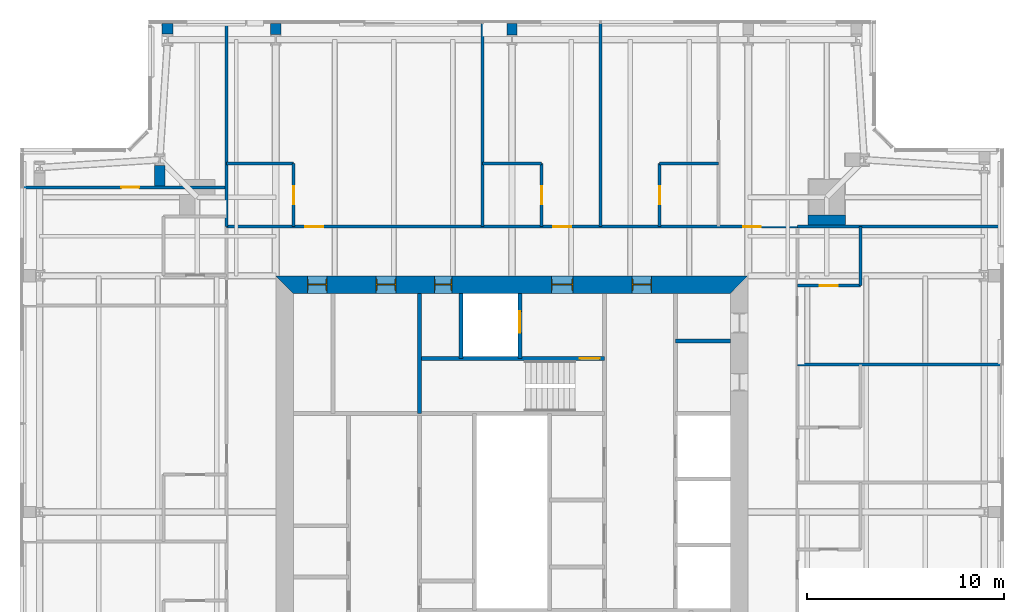
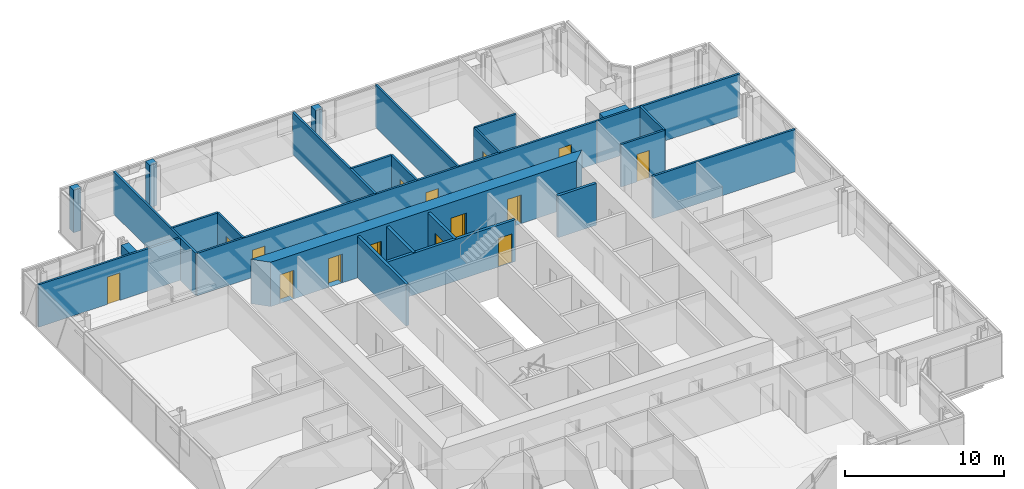
# One storey, part 14 of 20: 26 walls, 15 doors, 15 openings.
"""IFC4 building model written with IfcOpenShell, lengths in metres."""

from ifc_helpers import new_model, si_unit, direction, frame, frame_2d, origin, place, context, subcontext, project, spatial, polyline, rectangle, outline, extrude, material, layer, layer_set, type_object, element, fill, save


model = new_model("IFC4")

# Units and contexts
model_context = context("Model", 3, precision=1e-05, world=origin(), true_north=direction((0.0, 1.0)))
body_context = subcontext(model_context, "Body", "Model", "MODEL_VIEW")
ifc_project = project(units=[si_unit("LENGTHUNIT", "METRE"), si_unit("AREAUNIT", "SQUARE_METRE"), si_unit("VOLUMEUNIT", "CUBIC_METRE"), si_unit("PLANEANGLEUNIT", "RADIAN"), si_unit("MASSUNIT", "GRAM", prefix="KILO")], contexts=[model_context])

# Site, building, storey
site_placement = place(None, origin())
site = spatial("IfcSite", under=ifc_project, at=site_placement, CompositionType="ELEMENT")
building_placement = place(site_placement, origin())
building = spatial("IfcBuilding", under=site, at=building_placement, Name="Fenwick Lantern Interchange", CompositionType="ELEMENT")
storey_placement = place(building_placement, frame((0.0, 0.0, 286.60009765625)))
storey = spatial("IfcBuildingStorey", under=building, at=storey_placement, Name="L69", CompositionType="ELEMENT", Elevation=286.60009765625)

# Walls
ifc_material_1 = material(Name="Fire-rated gypsum board encasement on steel studs, 2 hour", Category="steel")
ifc_layer_1 = layer(ifc_material_1, 1.89990234375)
ifc_layer_set_1 = layer_set([ifc_layer_1], Name="COLUMN PIER 1900")
wall_type_1 = type_object("IfcWallType", Name="COLUMN PIER 1900", PredefinedType="PARTITIONING", material=ifc_layer_set_1)
wall_1_placement = place(storey_placement, frame((41.0, 39.574951171875, 0.0), z_axis=(0.0, 0.0, 1.0), x_axis=(0.0, 1.0, 0.0)))
element("IfcWall", 1, at=wall_1_placement, inside=storey, type_object=wall_type_1, Name="L69/W/PIER/M3", PredefinedType="PARTITIONING", context=body_context, shape_type="SweptSolid", body=[
    extrude(rectangle(XDim=0.525146484375, YDim=1.89990234375, at=frame_2d((0.2626953125, 0.0))), origin(), (0.0, 0.0, 1.0), 3.25),
])
ifc_layer_2 = layer(ifc_material_1, 0.52392578125)
ifc_layer_set_2 = layer_set([ifc_layer_2], Name="COLUMN PIER 524")
wall_type_2 = type_object("IfcWallType", Name="COLUMN PIER 524", PredefinedType="PARTITIONING", material=ifc_layer_set_2)
wall_2_placement = place(storey_placement, frame((25.0, 49.81005859375, 0.0), z_axis=(0.0, 0.0, 1.0), x_axis=(0.0, -1.0, 0.0)))
element("IfcWall", 2, at=wall_2_placement, inside=storey, type_object=wall_type_2, Name="L69/W/PIER/CN3", PredefinedType="PARTITIONING", context=body_context, shape_type="SweptSolid", body=[
    extrude(rectangle(XDim=0.572509765625, YDim=0.52392578125, at=frame_2d((0.2861328125, 0.0))), origin(), (0.0, 0.0, 1.0), 3.25),
])
ifc_layer_3 = layer(ifc_material_1, 0.5419921875)
ifc_layer_set_3 = layer_set([ifc_layer_3], Name="COLUMN PIER 542")
wall_type_3 = type_object("IfcWallType", Name="COLUMN PIER 542", PredefinedType="PARTITIONING", material=ifc_layer_set_3)
wall_3_placement = place(storey_placement, frame((13.0, 49.81005859375, 0.0), z_axis=(0.0, 0.0, 1.0), x_axis=(0.0, -1.0, 0.0)))
element("IfcWall", 3, at=wall_3_placement, inside=storey, type_object=wall_type_3, Name="L69/W/PIER/CN4", PredefinedType="PARTITIONING", context=body_context, shape_type="SweptSolid", body=[
    extrude(rectangle(XDim=0.544677734375, YDim=0.5419921875, at=frame_2d((0.2724609375, 0.0))), origin(), (0.0, 0.0, 1.0), 3.25),
])
ifc_layer_4 = layer(ifc_material_1, 0.554931640625)
ifc_layer_set_4 = layer_set([ifc_layer_4], Name="COLUMN PIER 555")
wall_type_4 = type_object("IfcWallType", Name="COLUMN PIER 555", PredefinedType="PARTITIONING", material=ifc_layer_set_4)
wall_4_placement = place(storey_placement, frame((7.5, 49.81005859375, 0.0), z_axis=(0.0, 0.0, 1.0), x_axis=(0.0, -1.0, 0.0)))
element("IfcWall", 4, at=wall_4_placement, inside=storey, type_object=wall_type_4, Name="L69/W/PIER/CN5", PredefinedType="PARTITIONING", context=body_context, shape_type="SweptSolid", body=[
    extrude(rectangle(XDim=0.525634765625, YDim=0.554931640625, at=frame_2d((0.2626953125, 0.0))), origin(), (0.0, 0.0, 1.0), 3.25),
])
wall_5_placement = place(storey_placement, frame((7.10009765625, 41.574951171875, 0.0), z_axis=(0.0, 0.0, 1.0), x_axis=(0.0, 1.0, 0.0)))
element("IfcWall", 5, at=wall_5_placement, inside=storey, type_object=wall_type_4, Name="L69/W/PIER/CNR", PredefinedType="PARTITIONING", context=body_context, shape_type="SweptSolid", body=[
    extrude(rectangle(XDim=1.04052734375, YDim=0.554931640625, at=frame_2d((0.520263671875, 0.0))), origin(), (0.0, 0.0, 1.0), 3.25),
])

# Wall, opening, door
ifc_material_2 = material(Name="Concrete masonry ASTM C90 Grade N", Category="masonry")
ifc_layer_5 = layer(ifc_material_2, 0.199951171875)
ifc_layer_set_5 = layer_set([ifc_layer_5], Name="Concrete masonry ASTM C90 Grade N")
wall_type_5 = type_object("IfcWallType", Name="CORE PARTITION 200", PredefinedType="PARTITIONING", material=ifc_layer_set_5)
wall_6_placement = place(storey_placement, frame((25.39990234375, 36.10009765625, 0.0), z_axis=(0.0, 0.0, 1.0), x_axis=(0.0, -1.0, 0.0)))
wall_6 = element("IfcWall", 6, at=wall_6_placement, inside=storey, type_object=wall_type_5, Name="L69/W/COREN/h1", PredefinedType="PARTITIONING", context=body_context, shape_type="SweptSolid", body=[
    extrude(rectangle(XDim=3.300048828125, YDim=0.199951171875, at=frame_2d((1.64990234375, 0.0))), origin(), (0.0, 0.0, 1.0), 3.199951171875),
])
opening_1_placement = place(wall_6_placement, frame((0.89990234375, 0.0, 0.0)))
opening_1 = element("IfcOpeningElement", 7, at=opening_1_placement, cuts=wall_6, Name="Opening LD-FL2", PredefinedType="OPENING", context=body_context, shape_type="SweptSolid", body=[
    extrude(rectangle(XDim=1.10009765625, YDim=2.199951171875, at=frame_2d((0.550048828125, 1.10009765625))), frame((0.0, 0.10986328125, 0.0), z_axis=(0.0, -1.0, 0.0), x_axis=(1.0, 0.0, 0.0)), (0.0, 0.0, 1.0), 0.219970703125),
])
ifc_material_3 = material(Name="Steel door and frame", Category="steel")
door_type_1 = type_object("IfcDoorType", Name="LIFT LANDING DOOR 1100 X 2200", OperationType="DOUBLE_DOOR_SLIDING", PredefinedType="DOOR", material=ifc_material_3)
door_1_placement = place(opening_1_placement, origin())
door_1 = element("IfcDoor", 8, at=door_1_placement, inside=storey, type_object=door_type_1, Name="Lift landing door FL2", OperationType="DOUBLE_DOOR_SLIDING", OverallHeight=2.199951171875, OverallWidth=1.10009765625, PredefinedType="DOOR", context=body_context, shape_type="SweptSolid", body=[
    extrude(rectangle(XDim=1.10009765625, YDim=2.199951171875, at=frame_2d((0.550048828125, 1.10009765625))), frame((0.0, 0.02490234375, 0.0), z_axis=(0.0, -1.0, 0.0), x_axis=(1.0, 0.0, 0.0)), (0.0, 0.0, 1.0), 0.050048828125),
])
fill(opening_1, door_1)

# Walls
wall_7_placement = place(storey_placement, frame((22.39990234375, 36.10009765625, 0.0), z_axis=(0.0, 0.0, 1.0), x_axis=(0.0, -1.0, 0.0)))
element("IfcWall", 9, at=wall_7_placement, inside=storey, type_object=wall_type_5, Name="L69/W/COREN/h2", PredefinedType="PARTITIONING", context=body_context, shape_type="SweptSolid", body=[
    extrude(rectangle(XDim=3.300048828125, YDim=0.199951171875, at=frame_2d((1.64990234375, 0.0))), origin(), (0.0, 0.0, 1.0), 3.199951171875),
])
wall_8_placement = place(storey_placement, frame((36.10009765625, 33.699951171875, 0.0), z_axis=(0.0, 0.0, 1.0), x_axis=(-1.0, 0.0, 0.0)))
element("IfcWall", 10, at=wall_8_placement, inside=storey, type_object=wall_type_5, Name="L69/W/COREN/p1", PredefinedType="PARTITIONING", context=body_context, shape_type="SweptSolid", body=[
    extrude(rectangle(XDim=2.800048828125, YDim=0.199951171875, at=frame_2d((1.39990234375, 0.0))), origin(), (0.0, 0.0, 1.0), 3.199951171875),
])

# Wall, openings, doors
ifc_material_4 = material(Name="Concrete f'c 70 MPa", Category="concrete")
ifc_layer_6 = layer(ifc_material_4, 0.89990234375)
ifc_layer_set_6 = layer_set([ifc_layer_6], Name="CORE WALL 900")
wall_type_6 = type_object("IfcWallType", Name="CORE WALL 900", PredefinedType="SHEAR", material=ifc_layer_set_6)
wall_9_placement = place(storey_placement, frame((37.0, 36.550048828125, 0.0), z_axis=(0.0, 0.0, 1.0), x_axis=(-1.0, 0.0, 0.0)))
wall_9 = element("IfcWall", 11, at=wall_9_placement, inside=storey, type_object=wall_type_6, Name="L69/CORE/N", PredefinedType="SHEAR", context=body_context, shape_type="SweptSolid", body=[
    extrude(outline(polyline([(0.0, -0.449951171875), (24.0, -0.449951171875), (23.10009765625, 0.449951171875), (0.89990234375, 0.449951171875), (0.0, -0.449951171875)])), origin(), (0.0, 0.0, 1.0), 3.39990234375),
])
opening_2_placement = place(wall_9_placement, frame((4.89990234375, 0.0, 0.0)))
opening_2 = element("IfcOpeningElement", 12, at=opening_2_placement, cuts=wall_9, Name="Opening L69-D014", PredefinedType="OPENING", context=body_context, shape_type="SweptSolid", body=[
    extrude(rectangle(XDim=1.0, YDim=2.199951171875, at=frame_2d((0.5, 1.10009765625))), frame((0.0, 0.4599609375, 0.0), z_axis=(0.0, -1.0, 0.0), x_axis=(1.0, 0.0, 0.0)), (0.0, 0.0, 1.0), 0.919921875),
])
opening_3_placement = place(wall_9_placement, frame((8.89990234375, 0.0, 0.0)))
opening_3 = element("IfcOpeningElement", 13, at=opening_3_placement, cuts=wall_9, Name="Opening L69-D015", PredefinedType="OPENING", context=body_context, shape_type="SweptSolid", body=[
    extrude(rectangle(XDim=1.10009765625, YDim=2.199951171875, at=frame_2d((0.550048828125, 1.10009765625))), frame((0.0, 0.4599609375, 0.0), z_axis=(0.0, -1.0, 0.0), x_axis=(1.0, 0.0, 0.0)), (0.0, 0.0, 1.0), 0.919921875),
])
opening_4_placement = place(wall_9_placement, frame((15.050048828125, 0.0, 0.0)))
opening_4 = element("IfcOpeningElement", 14, at=opening_4_placement, cuts=wall_9, Name="Opening L69-D017", PredefinedType="OPENING", context=body_context, shape_type="SweptSolid", body=[
    extrude(rectangle(XDim=0.89990234375, YDim=2.199951171875, at=frame_2d((0.449951171875, 1.10009765625))), frame((0.0, 0.4599609375, 0.0), z_axis=(0.0, -1.0, 0.0), x_axis=(1.0, 0.0, 0.0)), (0.0, 0.0, 1.0), 0.919921875),
])
opening_5_placement = place(wall_9_placement, frame((17.89990234375, 0.0, 0.0)))
opening_5 = element("IfcOpeningElement", 15, at=opening_5_placement, cuts=wall_9, Name="Opening L69-D018", PredefinedType="OPENING", context=body_context, shape_type="SweptSolid", body=[
    extrude(rectangle(XDim=1.0, YDim=2.199951171875, at=frame_2d((0.5, 1.10009765625))), frame((0.0, 0.4599609375, 0.0), z_axis=(0.0, -1.0, 0.0), x_axis=(1.0, 0.0, 0.0)), (0.0, 0.0, 1.0), 0.919921875),
])
opening_6_placement = place(wall_9_placement, frame((21.39990234375, 0.0, 0.0)))
opening_6 = element("IfcOpeningElement", 16, at=opening_6_placement, cuts=wall_9, Name="Opening L69-D019", PredefinedType="OPENING", context=body_context, shape_type="SweptSolid", body=[
    extrude(rectangle(XDim=1.0, YDim=2.199951171875, at=frame_2d((0.5, 1.10009765625))), frame((0.0, 0.4599609375, 0.0), z_axis=(0.0, -1.0, 0.0), x_axis=(1.0, 0.0, 0.0)), (0.0, 0.0, 1.0), 0.919921875),
])
door_type_2 = type_object("IfcDoorType", Name="CORE LOBBY DOOR 1000 X 2200", OperationType="SINGLE_SWING_LEFT", PredefinedType="DOOR", material=ifc_material_3)
door_2_placement = place(opening_2_placement, origin())
door_2 = element("IfcDoor", 17, at=door_2_placement, inside=storey, type_object=door_type_2, Name="Core lobby door", OperationType="SINGLE_SWING_LEFT", OverallHeight=2.199951171875, OverallWidth=1.0, PredefinedType="DOOR", context=body_context, shape_type="SweptSolid", body=[
    extrude(rectangle(XDim=1.0, YDim=2.199951171875, at=frame_2d((0.5, 1.10009765625))), frame((0.0, 0.02490234375, 0.0), z_axis=(0.0, -1.0, 0.0), x_axis=(1.0, 0.0, 0.0)), (0.0, 0.0, 1.0), 0.050048828125),
    extrude(outline(polyline([(0.0, 0.0), (0.0400390625, 0.0), (0.0400390625, 2.159912109375), (0.9599609375, 2.159912109375), (0.9599609375, 0.0), (1.0, 0.0), (1.0, 2.199951171875), (0.0, 2.199951171875), (0.0, 0.0)])), frame((0.0, 0.300048828125, 0.0), z_axis=(0.0, -1.0, 0.0), x_axis=(1.0, 0.0, 0.0)), (0.0, 0.0, 1.0), 0.60009765625),
])
fill(opening_2, door_2)
door_type_3 = type_object("IfcDoorType", Name="FIRE LOBBY DOOR 1100 X 2200", OperationType="SINGLE_SWING_LEFT", PredefinedType="DOOR", material=ifc_material_3)
door_3_placement = place(opening_3_placement, origin())
door_3 = element("IfcDoor", 18, at=door_3_placement, inside=storey, type_object=door_type_3, Name="Fire lobby door", OperationType="SINGLE_SWING_LEFT", OverallHeight=2.199951171875, OverallWidth=1.10009765625, PredefinedType="DOOR", context=body_context, shape_type="SweptSolid", body=[
    extrude(rectangle(XDim=1.10009765625, YDim=2.199951171875, at=frame_2d((0.550048828125, 1.10009765625))), frame((0.0, 0.02490234375, 0.0), z_axis=(0.0, -1.0, 0.0), x_axis=(1.0, 0.0, 0.0)), (0.0, 0.0, 1.0), 0.050048828125),
    extrude(outline(polyline([(0.0, 0.0), (0.0400390625, 0.0), (0.0400390625, 2.159912109375), (1.06005859375, 2.159912109375), (1.06005859375, 0.0), (1.10009765625, 0.0), (1.10009765625, 2.199951171875), (0.0, 2.199951171875), (0.0, 0.0)])), frame((0.0, 0.300048828125, 0.0), z_axis=(0.0, -1.0, 0.0), x_axis=(1.0, 0.0, 0.0)), (0.0, 0.0, 1.0), 0.60009765625),
])
fill(opening_3, door_3)
door_type_4 = type_object("IfcDoorType", Name="SERVICE DOOR 900 X 2200", OperationType="SINGLE_SWING_LEFT", PredefinedType="DOOR", material=ifc_material_3)
door_4_placement = place(opening_4_placement, origin())
door_4 = element("IfcDoor", 19, at=door_4_placement, inside=storey, type_object=door_type_4, Name="Service door", OperationType="SINGLE_SWING_LEFT", OverallHeight=2.199951171875, OverallWidth=0.89990234375, PredefinedType="DOOR", context=body_context, shape_type="SweptSolid", body=[
    extrude(rectangle(XDim=0.89990234375, YDim=2.199951171875, at=frame_2d((0.449951171875, 1.10009765625))), frame((0.0, 0.02490234375, 0.0), z_axis=(0.0, -1.0, 0.0), x_axis=(1.0, 0.0, 0.0)), (0.0, 0.0, 1.0), 0.050048828125),
    extrude(outline(polyline([(0.0, 0.0), (0.0400390625, 0.0), (0.0400390625, 2.159912109375), (0.85986328125, 2.159912109375), (0.85986328125, 0.0), (0.89990234375, 0.0), (0.89990234375, 2.199951171875), (0.0, 2.199951171875), (0.0, 0.0)])), frame((0.0, 0.300048828125, 0.0), z_axis=(0.0, -1.0, 0.0), x_axis=(1.0, 0.0, 0.0)), (0.0, 0.0, 1.0), 0.60009765625),
])
fill(opening_4, door_4)
ifc_material_5 = material(Name="Hardwood door and steel frame", Category="steel")
door_type_5 = type_object("IfcDoorType", Name="WC DOOR 1000 X 2200", OperationType="SINGLE_SWING_LEFT", PredefinedType="DOOR", material=ifc_material_5)
door_5_placement = place(opening_5_placement, origin())
door_5 = element("IfcDoor", 20, at=door_5_placement, inside=storey, type_object=door_type_5, Name="Wc door", OperationType="SINGLE_SWING_LEFT", OverallHeight=2.199951171875, OverallWidth=1.0, PredefinedType="DOOR", context=body_context, shape_type="SweptSolid", body=[
    extrude(rectangle(XDim=1.0, YDim=2.199951171875, at=frame_2d((0.5, 1.10009765625))), frame((0.0, 0.02490234375, 0.0), z_axis=(0.0, -1.0, 0.0), x_axis=(1.0, 0.0, 0.0)), (0.0, 0.0, 1.0), 0.050048828125),
    extrude(outline(polyline([(0.0, 0.0), (0.0400390625, 0.0), (0.0400390625, 2.159912109375), (0.9599609375, 2.159912109375), (0.9599609375, 0.0), (1.0, 0.0), (1.0, 2.199951171875), (0.0, 2.199951171875), (0.0, 0.0)])), frame((0.0, 0.300048828125, 0.0), z_axis=(0.0, -1.0, 0.0), x_axis=(1.0, 0.0, 0.0)), (0.0, 0.0, 1.0), 0.60009765625),
])
fill(opening_5, door_5)
door_6_placement = place(opening_6_placement, origin())
door_6 = element("IfcDoor", 21, at=door_6_placement, inside=storey, type_object=door_type_5, Name="Wc door", OperationType="SINGLE_SWING_LEFT", OverallHeight=2.199951171875, OverallWidth=1.0, PredefinedType="DOOR", context=body_context, shape_type="SweptSolid", body=[
    extrude(rectangle(XDim=1.0, YDim=2.199951171875, at=frame_2d((0.5, 1.10009765625))), frame((0.0, 0.02490234375, 0.0), z_axis=(0.0, -1.0, 0.0), x_axis=(1.0, 0.0, 0.0)), (0.0, 0.0, 1.0), 0.050048828125),
    extrude(outline(polyline([(0.0, 0.0), (0.0400390625, 0.0), (0.0400390625, 2.159912109375), (0.9599609375, 2.159912109375), (0.9599609375, 0.0), (1.0, 0.0), (1.0, 2.199951171875), (0.0, 2.199951171875), (0.0, 0.0)])), frame((0.0, 0.300048828125, 0.0), z_axis=(0.0, -1.0, 0.0), x_axis=(1.0, 0.0, 0.0)), (0.0, 0.0, 1.0), 0.60009765625),
])
fill(opening_6, door_6)

ifc_material_6 = material(Name="Gypsum board on steel studs, 1 hour", Category="steel")
ifc_layer_7 = layer(ifc_material_6, 0.14990234375)
ifc_layer_set_7 = layer_set([ifc_layer_7], Name="CORRIDOR WALL 150")
wall_type_7 = type_object("IfcWallType", Name="CORRIDOR WALL 150", PredefinedType="PARTITIONING", material=ifc_layer_set_7)
wall_10_placement = place(storey_placement, frame((39.5, 39.5, 0.0), z_axis=(0.0, 0.0, 1.0), x_axis=(-1.0, 0.0, 0.0)))
wall_10 = element("IfcWall", 22, at=wall_10_placement, inside=storey, type_object=wall_type_7, Name="L69/W/HOTEL/N/CW", PredefinedType="PARTITIONING", context=body_context, shape_type="SweptSolid", body=[
    extrude(rectangle(XDim=29.0, YDim=0.14990234375, at=frame_2d((14.5, 0.0))), origin(), (0.0, 0.0, 1.0), 3.25),
])
opening_7_placement = place(wall_10_placement, frame((1.85009765625, 0.0, 0.0)))
opening_7 = element("IfcOpeningElement", 23, at=opening_7_placement, cuts=wall_10, Name="Opening L69-D041", PredefinedType="OPENING", context=body_context, shape_type="SweptSolid", body=[
    extrude(rectangle(XDim=0.89990234375, YDim=2.10009765625, at=frame_2d((0.449951171875, 1.050048828125))), frame((0.0, 0.0849609375, 0.0), z_axis=(0.0, -1.0, 0.0), x_axis=(1.0, 0.0, 0.0)), (0.0, 0.0, 1.0), 0.169921875),
])
opening_8_placement = place(wall_10_placement, frame((11.5, 0.0, 0.0)))
opening_8 = element("IfcOpeningElement", 24, at=opening_8_placement, cuts=wall_10, Name="Opening L69-D045", PredefinedType="OPENING", context=body_context, shape_type="SweptSolid", body=[
    extrude(rectangle(XDim=0.89990234375, YDim=2.10009765625, at=frame_2d((0.449951171875, 1.050048828125))), frame((0.0, 0.0849609375, 0.0), z_axis=(0.0, -1.0, 0.0), x_axis=(1.0, 0.0, 0.0)), (0.0, 0.0, 1.0), 0.169921875),
])
opening_9_placement = place(wall_10_placement, frame((24.10009765625, 0.0, 0.0)))
opening_9 = element("IfcOpeningElement", 25, at=opening_9_placement, cuts=wall_10, Name="Opening L69-D047", PredefinedType="OPENING", context=body_context, shape_type="SweptSolid", body=[
    extrude(rectangle(XDim=0.89990234375, YDim=2.10009765625, at=frame_2d((0.449951171875, 1.050048828125))), frame((0.0, 0.0849609375, 0.0), z_axis=(0.0, -1.0, 0.0), x_axis=(1.0, 0.0, 0.0)), (0.0, 0.0, 1.0), 0.169921875),
])
door_type_6 = type_object("IfcDoorType", Name="GUEST ROOM DOOR 900 X 2100", OperationType="SINGLE_SWING_LEFT", PredefinedType="DOOR", material=ifc_material_3)
door_7_placement = place(opening_7_placement, frame((0.89990234375, 0.0, 0.0), z_axis=(0.0, 0.0, 1.0), x_axis=(-1.0, 0.0, 0.0)))
door_7 = element("IfcDoor", 26, at=door_7_placement, inside=storey, type_object=door_type_6, Name="Guest room door", OperationType="SINGLE_SWING_LEFT", OverallHeight=2.10009765625, OverallWidth=0.89990234375, PredefinedType="DOOR", context=body_context, shape_type="SweptSolid", body=[
    extrude(rectangle(XDim=0.89990234375, YDim=2.10009765625, at=frame_2d((0.449951171875, 1.050048828125))), frame((0.0, 0.02490234375, 0.0), z_axis=(0.0, -1.0, 0.0), x_axis=(1.0, 0.0, 0.0)), (0.0, 0.0, 1.0), 0.050048828125),
])
fill(opening_7, door_7)
door_8_placement = place(opening_8_placement, frame((0.89990234375, 0.0, 0.0), z_axis=(0.0, 0.0, 1.0), x_axis=(-1.0, 0.0, 0.0)))
door_8 = element("IfcDoor", 27, at=door_8_placement, inside=storey, type_object=door_type_6, Name="Guest room door", OperationType="SINGLE_SWING_LEFT", OverallHeight=2.10009765625, OverallWidth=0.89990234375, PredefinedType="DOOR", context=body_context, shape_type="SweptSolid", body=[
    extrude(rectangle(XDim=0.89990234375, YDim=2.10009765625, at=frame_2d((0.449951171875, 1.050048828125))), frame((0.0, 0.02490234375, 0.0), z_axis=(0.0, -1.0, 0.0), x_axis=(1.0, 0.0, 0.0)), (0.0, 0.0, 1.0), 0.050048828125),
])
fill(opening_8, door_8)
door_9_placement = place(opening_9_placement, frame((0.89990234375, 0.0, 0.0), z_axis=(0.0, 0.0, 1.0), x_axis=(-1.0, 0.0, 0.0)))
door_9 = element("IfcDoor", 28, at=door_9_placement, inside=storey, type_object=door_type_6, Name="Guest room door", OperationType="SINGLE_SWING_LEFT", OverallHeight=2.10009765625, OverallWidth=0.89990234375, PredefinedType="DOOR", context=body_context, shape_type="SweptSolid", body=[
    extrude(rectangle(XDim=0.89990234375, YDim=2.10009765625, at=frame_2d((0.449951171875, 1.050048828125))), frame((0.0, 0.02490234375, 0.0), z_axis=(0.0, -1.0, 0.0), x_axis=(1.0, 0.0, 0.0)), (0.0, 0.0, 1.0), 0.050048828125),
])
fill(opening_9, door_9)

# Wall
ifc_material_7 = material(Name="Gypsum board on steel studs, moisture resistant", Category="steel")
ifc_layer_8 = layer(ifc_material_7, 0.14990234375)
ifc_layer_set_8 = layer_set([ifc_layer_8], Name="EN-SUITE WALL 150")
wall_type_8 = type_object("IfcWallType", Name="EN-SUITE WALL 150", PredefinedType="PARTITIONING", material=ifc_layer_set_8)
wall_11_placement = place(storey_placement, frame((42.699951171875, 36.5, 0.0), z_axis=(0.0, 0.0, 1.0), x_axis=(0.0, 1.0, 0.0)))
element("IfcWall", 29, at=wall_11_placement, inside=storey, type_object=wall_type_8, Name="L69/W/HOTEL/E/U4BW", PredefinedType="PARTITIONING", context=body_context, shape_type="SweptSolid", body=[
    extrude(rectangle(XDim=3.0, YDim=0.14990234375, at=frame_2d((1.5, 0.0))), origin(), (0.0, 0.0, 1.0), 3.25),
])

# Wall, opening, door
wall_12_placement = place(storey_placement, frame((42.699951171875, 36.5, 0.0), z_axis=(0.0, 0.0, 1.0), x_axis=(-1.0, 0.0, 0.0)))
wall_12 = element("IfcWall", 30, at=wall_12_placement, inside=storey, type_object=wall_type_8, Name="L69/W/HOTEL/E/U4BX", PredefinedType="PARTITIONING", context=body_context, shape_type="SweptSolid", body=[
    extrude(rectangle(XDim=3.199951171875, YDim=0.14990234375, at=frame_2d((1.60009765625, 0.0))), origin(), (0.0, 0.0, 1.0), 3.25),
])
opening_10_placement = place(wall_12_placement, frame((1.14990234375, 0.0, 0.0)))
opening_10 = element("IfcOpeningElement", 31, at=opening_10_placement, cuts=wall_12, Name="Opening L69-D039", PredefinedType="OPENING", context=body_context, shape_type="SweptSolid", body=[
    extrude(rectangle(XDim=0.89990234375, YDim=2.10009765625, at=frame_2d((0.449951171875, 1.050048828125))), frame((0.0, 0.0849609375, 0.0), z_axis=(0.0, -1.0, 0.0), x_axis=(1.0, 0.0, 0.0)), (0.0, 0.0, 1.0), 0.169921875),
])
door_type_7 = type_object("IfcDoorType", Name="EN-SUITE DOOR 900 X 2100", OperationType="SINGLE_SWING_LEFT", PredefinedType="DOOR", material=ifc_material_5)
door_10_placement = place(opening_10_placement, frame((0.89990234375, 0.0, 0.0), z_axis=(0.0, 0.0, 1.0), x_axis=(-1.0, 0.0, 0.0)))
door_10 = element("IfcDoor", 32, at=door_10_placement, inside=storey, type_object=door_type_7, Name="En-suite door", OperationType="SINGLE_SWING_RIGHT", OverallHeight=2.10009765625, OverallWidth=0.89990234375, PredefinedType="DOOR", context=body_context, shape_type="SweptSolid", body=[
    extrude(rectangle(XDim=0.89990234375, YDim=2.10009765625, at=frame_2d((0.449951171875, 1.050048828125))), frame((0.0, 0.02490234375, 0.0), z_axis=(0.0, -1.0, 0.0), x_axis=(1.0, 0.0, 0.0)), (0.0, 0.0, 1.0), 0.050048828125),
])
fill(opening_10, door_10)

# Wall
wall_13_placement = place(storey_placement, frame((35.5, 42.699951171875, 0.0), z_axis=(0.0, 0.0, 1.0), x_axis=(-1.0, 0.0, 0.0)))
element("IfcWall", 33, at=wall_13_placement, inside=storey, type_object=wall_type_8, Name="L69/W/HOTEL/N/U1BW", PredefinedType="PARTITIONING", context=body_context, shape_type="SweptSolid", body=[
    extrude(rectangle(XDim=3.0, YDim=0.14990234375, at=frame_2d((1.5, 0.0))), origin(), (0.0, 0.0, 1.0), 3.25),
])

# Wall, opening, door
wall_14_placement = place(storey_placement, frame((32.5, 42.699951171875, 0.0), z_axis=(0.0, 0.0, 1.0), x_axis=(0.0, -1.0, 0.0)))
wall_14 = element("IfcWall", 34, at=wall_14_placement, inside=storey, type_object=wall_type_8, Name="L69/W/HOTEL/N/U1BX", PredefinedType="PARTITIONING", context=body_context, shape_type="SweptSolid", body=[
    extrude(rectangle(XDim=3.199951171875, YDim=0.14990234375, at=frame_2d((1.60009765625, 0.0))), origin(), (0.0, 0.0, 1.0), 3.25),
])
opening_11_placement = place(wall_14_placement, frame((1.14990234375, 0.0, 0.0)))
opening_11 = element("IfcOpeningElement", 35, at=opening_11_placement, cuts=wall_14, Name="Opening L69-D042", PredefinedType="OPENING", context=body_context, shape_type="SweptSolid", body=[
    extrude(rectangle(XDim=0.89990234375, YDim=2.10009765625, at=frame_2d((0.449951171875, 1.050048828125))), frame((0.0, 0.0849609375, 0.0), z_axis=(0.0, -1.0, 0.0), x_axis=(1.0, 0.0, 0.0)), (0.0, 0.0, 1.0), 0.169921875),
])
door_11_placement = place(opening_11_placement, origin())
door_11 = element("IfcDoor", 36, at=door_11_placement, inside=storey, type_object=door_type_7, Name="En-suite door", OperationType="SINGLE_SWING_LEFT", OverallHeight=2.10009765625, OverallWidth=0.89990234375, PredefinedType="DOOR", context=body_context, shape_type="SweptSolid", body=[
    extrude(rectangle(XDim=0.89990234375, YDim=2.10009765625, at=frame_2d((0.449951171875, 1.050048828125))), frame((0.0, 0.02490234375, 0.0), z_axis=(0.0, -1.0, 0.0), x_axis=(1.0, 0.0, 0.0)), (0.0, 0.0, 1.0), 0.050048828125),
])
fill(opening_11, door_11)

# Wall
wall_15_placement = place(storey_placement, frame((26.5, 42.699951171875, 0.0), z_axis=(0.0, 0.0, 1.0), x_axis=(-1.0, 0.0, 0.0)))
element("IfcWall", 37, at=wall_15_placement, inside=storey, type_object=wall_type_8, Name="L69/W/HOTEL/N/U2BW", PredefinedType="PARTITIONING", context=body_context, shape_type="SweptSolid", body=[
    extrude(rectangle(XDim=3.0, YDim=0.14990234375, at=frame_2d((1.5, 0.0))), origin(), (0.0, 0.0, 1.0), 3.25),
])

# Wall, opening, door
wall_16_placement = place(storey_placement, frame((26.5, 42.699951171875, 0.0), z_axis=(0.0, 0.0, 1.0), x_axis=(0.0, -1.0, 0.0)))
wall_16 = element("IfcWall", 38, at=wall_16_placement, inside=storey, type_object=wall_type_8, Name="L69/W/HOTEL/N/U2BX", PredefinedType="PARTITIONING", context=body_context, shape_type="SweptSolid", body=[
    extrude(rectangle(XDim=3.199951171875, YDim=0.14990234375, at=frame_2d((1.60009765625, 0.0))), origin(), (0.0, 0.0, 1.0), 3.25),
])
opening_12_placement = place(wall_16_placement, frame((1.14990234375, 0.0, 0.0)))
opening_12 = element("IfcOpeningElement", 39, at=opening_12_placement, cuts=wall_16, Name="Opening L69-D044", PredefinedType="OPENING", context=body_context, shape_type="SweptSolid", body=[
    extrude(rectangle(XDim=0.89990234375, YDim=2.10009765625, at=frame_2d((0.449951171875, 1.050048828125))), frame((0.0, 0.0849609375, 0.0), z_axis=(0.0, -1.0, 0.0), x_axis=(1.0, 0.0, 0.0)), (0.0, 0.0, 1.0), 0.169921875),
])
door_12_placement = place(opening_12_placement, frame((0.89990234375, 0.0, 0.0), z_axis=(0.0, 0.0, 1.0), x_axis=(-1.0, 0.0, 0.0)))
door_12 = element("IfcDoor", 40, at=door_12_placement, inside=storey, type_object=door_type_7, Name="En-suite door", OperationType="SINGLE_SWING_RIGHT", OverallHeight=2.10009765625, OverallWidth=0.89990234375, PredefinedType="DOOR", context=body_context, shape_type="SweptSolid", body=[
    extrude(rectangle(XDim=0.89990234375, YDim=2.10009765625, at=frame_2d((0.449951171875, 1.050048828125))), frame((0.0, 0.02490234375, 0.0), z_axis=(0.0, -1.0, 0.0), x_axis=(1.0, 0.0, 0.0)), (0.0, 0.0, 1.0), 0.050048828125),
])
fill(opening_12, door_12)

# Wall
wall_17_placement = place(storey_placement, frame((13.89990234375, 42.699951171875, 0.0), z_axis=(0.0, 0.0, 1.0), x_axis=(-1.0, 0.0, 0.0)))
element("IfcWall", 41, at=wall_17_placement, inside=storey, type_object=wall_type_8, Name="L69/W/HOTEL/N/U3BW", PredefinedType="PARTITIONING", context=body_context, shape_type="SweptSolid", body=[
    extrude(rectangle(XDim=3.39990234375, YDim=0.14990234375, at=frame_2d((1.699951171875, 0.0))), origin(), (0.0, 0.0, 1.0), 3.25),
])

# Wall, opening, door
wall_18_placement = place(storey_placement, frame((13.89990234375, 42.699951171875, 0.0), z_axis=(0.0, 0.0, 1.0), x_axis=(0.0, -1.0, 0.0)))
wall_18 = element("IfcWall", 42, at=wall_18_placement, inside=storey, type_object=wall_type_8, Name="L69/W/HOTEL/N/U3BX", PredefinedType="PARTITIONING", context=body_context, shape_type="SweptSolid", body=[
    extrude(rectangle(XDim=3.199951171875, YDim=0.14990234375, at=frame_2d((1.60009765625, 0.0))), origin(), (0.0, 0.0, 1.0), 3.25),
])
opening_13_placement = place(wall_18_placement, frame((1.14990234375, 0.0, 0.0)))
opening_13 = element("IfcOpeningElement", 43, at=opening_13_placement, cuts=wall_18, Name="Opening L69-D046", PredefinedType="OPENING", context=body_context, shape_type="SweptSolid", body=[
    extrude(rectangle(XDim=0.89990234375, YDim=2.10009765625, at=frame_2d((0.449951171875, 1.050048828125))), frame((0.0, 0.0849609375, 0.0), z_axis=(0.0, -1.0, 0.0), x_axis=(1.0, 0.0, 0.0)), (0.0, 0.0, 1.0), 0.169921875),
])
door_13_placement = place(opening_13_placement, frame((0.89990234375, 0.0, 0.0), z_axis=(0.0, 0.0, 1.0), x_axis=(-1.0, 0.0, 0.0)))
door_13 = element("IfcDoor", 44, at=door_13_placement, inside=storey, type_object=door_type_7, Name="En-suite door", OperationType="SINGLE_SWING_RIGHT", OverallHeight=2.10009765625, OverallWidth=0.89990234375, PredefinedType="DOOR", context=body_context, shape_type="SweptSolid", body=[
    extrude(rectangle(XDim=0.89990234375, YDim=2.10009765625, at=frame_2d((0.449951171875, 1.050048828125))), frame((0.0, 0.02490234375, 0.0), z_axis=(0.0, -1.0, 0.0), x_axis=(1.0, 0.0, 0.0)), (0.0, 0.0, 1.0), 0.050048828125),
])
fill(opening_13, door_13)

# Walls
ifc_material_8 = material(Name="Gypsum board on steel studs, 1 hour acoustic", Category="steel")
ifc_layer_9 = layer(ifc_material_8, 0.14990234375)
ifc_layer_set_9 = layer_set([ifc_layer_9], Name="PARTY WALL 150")
wall_type_9 = type_object("IfcWallType", Name="PARTY WALL 150", PredefinedType="PARTITIONING", material=ifc_layer_set_9)
for number, where, z_axis, x_axis, name in (
    (45, (49.85009765625, 32.5, 0.0), (0.0, 0.0, 1.0), (-1.0, 0.0, 0.0), "L69/W/HOTEL/E/U4PW"),
    (46, (49.85009765625, 39.5, 0.0), (0.0, 0.0, 1.0), (-1.0, 0.0, 0.0), "L69/W/HOTEL/N/SW3"),
    (47, (29.5, 49.85009765625, 0.0), (0.0, 0.0, 1.0), (0.0, -1.0, 0.0), "L69/W/HOTEL/N/U2PW"),
    (48, (23.5, 49.85009765625, 0.0), (0.0, 0.0, 1.0), (0.0, -1.0, 0.0), "L69/W/HOTEL/N/U3PW"),
    (49, (10.5, 49.85009765625, 0.0), (0.0, 0.0, 1.0), (0.0, -1.0, 0.0), "L69/W/HOTEL/W/SW3"),
):
    element("IfcWall", number, at=place(storey_placement, frame(where, z_axis=z_axis, x_axis=x_axis)), inside=storey, type_object=wall_type_9, Name=name, PredefinedType="PARTITIONING", context=body_context, shape_type="SweptSolid", body=[
        extrude(rectangle(XDim=10.35009765625, YDim=0.14990234375, at=frame_2d((5.175048828125, 0.0))), origin(), (0.0, 0.0, 1.0), 3.25),
    ])

# Wall, opening, door
ifc_material_9 = material(Name="Concrete f'c 45 MPa", Category="concrete")
ifc_layer_10 = layer(ifc_material_9, 0.199951171875)
ifc_layer_set_10 = layer_set([ifc_layer_10], Name="STAIR CORE WALL 200")
wall_type_10 = type_object("IfcWallType", Name="STAIR CORE WALL 200", PredefinedType="SOLIDWALL", material=ifc_layer_set_10)
wall_19_placement = place(storey_placement, frame((29.699951171875, 32.800048828125, 0.0), z_axis=(0.0, 0.0, 1.0), x_axis=(-1.0, 0.0, 0.0)))
wall_19 = element("IfcWall", 50, at=wall_19_placement, inside=storey, type_object=wall_type_10, Name="L69/W/COREN/g1", PredefinedType="SOLIDWALL", context=body_context, shape_type="SweptSolid", body=[
    extrude(rectangle(XDim=9.39990234375, YDim=0.199951171875, at=frame_2d((4.699951171875, 0.0))), origin(), (0.0, 0.0, 1.0), 3.199951171875),
])
opening_14_placement = place(wall_19_placement, frame((0.25, 0.0, 0.0)))
opening_14 = element("IfcOpeningElement", 51, at=opening_14_placement, cuts=wall_19, Name="Opening L69-D016", PredefinedType="OPENING", context=body_context, shape_type="SweptSolid", body=[
    extrude(rectangle(XDim=1.0, YDim=2.199951171875, at=frame_2d((0.5, 1.10009765625))), frame((0.0, 0.10986328125, 0.0), z_axis=(0.0, -1.0, 0.0), x_axis=(1.0, 0.0, 0.0)), (0.0, 0.0, 1.0), 0.219970703125),
])
door_type_8 = type_object("IfcDoorType", Name="STAIR DOOR 1000 X 2200", OperationType="SINGLE_SWING_LEFT", PredefinedType="DOOR", material=ifc_material_3)
door_14_placement = place(opening_14_placement, origin())
door_14 = element("IfcDoor", 52, at=door_14_placement, inside=storey, type_object=door_type_8, Name="Stair door", OperationType="SINGLE_SWING_LEFT", OverallHeight=2.199951171875, OverallWidth=1.0, PredefinedType="DOOR", context=body_context, shape_type="SweptSolid", body=[
    extrude(rectangle(XDim=1.0, YDim=2.199951171875, at=frame_2d((0.5, 1.10009765625))), frame((0.0, 0.02490234375, 0.0), z_axis=(0.0, -1.0, 0.0), x_axis=(1.0, 0.0, 0.0)), (0.0, 0.0, 1.0), 0.050048828125),
])
fill(opening_14, door_14)

# Wall
wall_20_placement = place(storey_placement, frame((20.300048828125, 36.10009765625, 0.0), z_axis=(0.0, 0.0, 1.0), x_axis=(0.0, -1.0, 0.0)))
element("IfcWall", 53, at=wall_20_placement, inside=storey, type_object=wall_type_10, Name="L69/W/COREN/i1", PredefinedType="SOLIDWALL", context=body_context, shape_type="SweptSolid", body=[
    extrude(rectangle(XDim=6.10009765625, YDim=0.199951171875, at=frame_2d((3.050048828125, 0.0))), origin(), (0.0, 0.0, 1.0), 3.199951171875),
])

# Wall, opening, door
ifc_material_10 = material(Name="Gypsum board on steel studs, acoustic", Category="steel")
ifc_layer_11 = layer(ifc_material_10, 0.14990234375)
ifc_layer_set_11 = layer_set([ifc_layer_11], Name="SUITE PARTITION 150")
wall_type_11 = type_object("IfcWallType", Name="SUITE PARTITION 150", PredefinedType="PARTITIONING", material=ifc_layer_set_11)
wall_21_placement = place(storey_placement, frame((0.14990234375, 41.5, 0.0), z_axis=(0.0, 0.0, 1.0), x_axis=(1.0, 0.0, 0.0)))
wall_21 = element("IfcWall", 54, at=wall_21_placement, inside=storey, type_object=wall_type_11, Name="L69/W/HOTEL/W/U1P", PredefinedType="PARTITIONING", context=body_context, shape_type="SweptSolid", body=[
    extrude(rectangle(XDim=10.35009765625, YDim=0.14990234375, at=frame_2d((5.175048828125, 0.0))), origin(), (0.0, 0.0, 1.0), 3.25),
])
opening_15_placement = place(wall_21_placement, frame((5.0, 0.0, 0.0)))
opening_15 = element("IfcOpeningElement", 55, at=opening_15_placement, cuts=wall_21, Name="Opening L69-D049", PredefinedType="OPENING", context=body_context, shape_type="SweptSolid", body=[
    extrude(rectangle(XDim=0.89990234375, YDim=2.10009765625, at=frame_2d((0.449951171875, 1.050048828125))), frame((0.0, 0.0849609375, 0.0), z_axis=(0.0, -1.0, 0.0), x_axis=(1.0, 0.0, 0.0)), (0.0, 0.0, 1.0), 0.169921875),
])
door_type_9 = type_object("IfcDoorType", Name="SUITE INTERNAL DOOR 900 X 2100", OperationType="SINGLE_SWING_LEFT", PredefinedType="DOOR", material=ifc_material_5)
door_15_placement = place(opening_15_placement, origin())
door_15 = element("IfcDoor", 56, at=door_15_placement, inside=storey, type_object=door_type_9, Name="Suite internal door", OperationType="SINGLE_SWING_RIGHT", OverallHeight=2.10009765625, OverallWidth=0.89990234375, PredefinedType="DOOR", context=body_context, shape_type="SweptSolid", body=[
    extrude(rectangle(XDim=0.89990234375, YDim=2.10009765625, at=frame_2d((0.449951171875, 1.050048828125))), frame((0.0, 0.02490234375, 0.0), z_axis=(0.0, -1.0, 0.0), x_axis=(1.0, 0.0, 0.0)), (0.0, 0.0, 1.0), 0.050048828125),
])
fill(opening_15, door_15)

save(model, "model.ifc")
